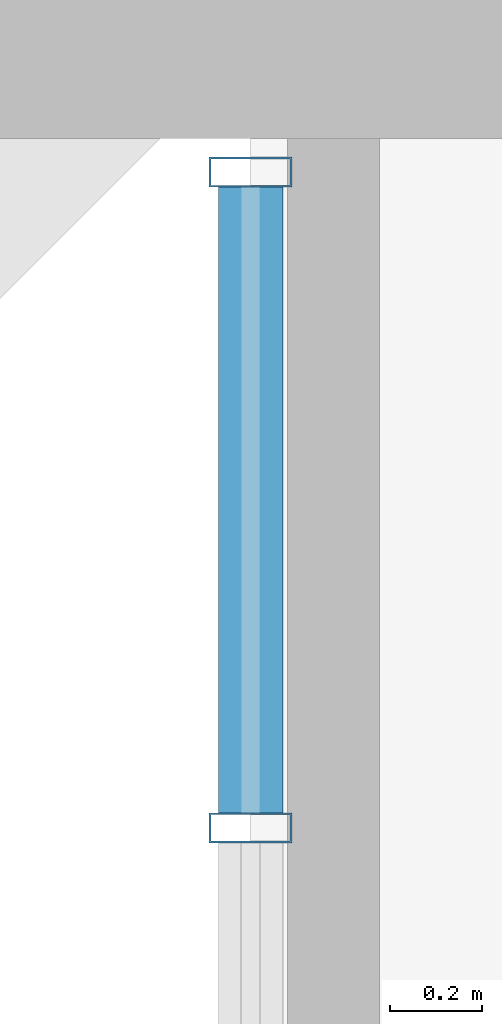
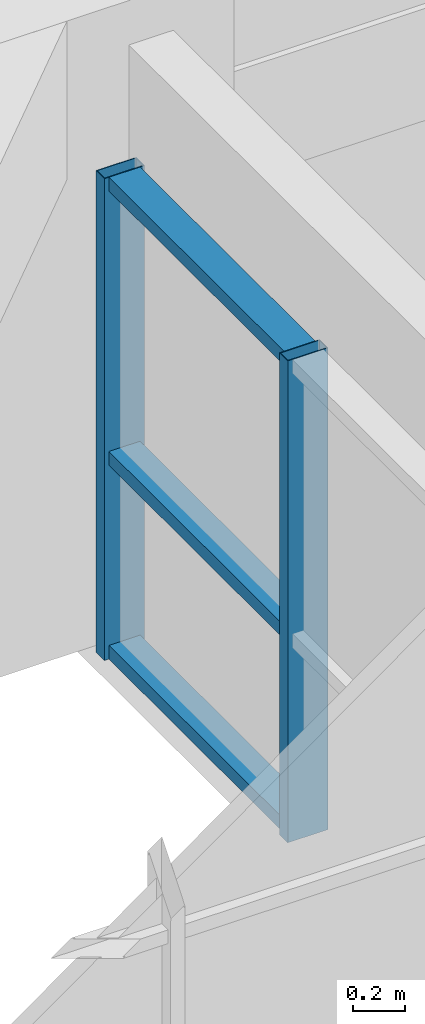
# One storey, part 8 of 28: 5 members, 1 element without a shape of its own.
"""IFC4 building model written with IfcOpenShell, lengths in metres."""

from ifc_helpers import new_model, si_unit, direction, frame, origin, origin_2d, place, context, subcontext, project, spatial, hollow_rectangle, extrude, source, transform, mapped, material, layer, layer_set, material_profile, profile_set, type_object, element, aggregate, save


model = new_model("IFC4")

# Units and contexts
model_context = context("Model", 3, precision=1e-05, world=origin(), true_north=direction((0.0, 1.0)))
body_context = subcontext(model_context, "Body", "Model", "MODEL_VIEW")
ifc_project = project(units=[si_unit("LENGTHUNIT", "METRE"), si_unit("AREAUNIT", "SQUARE_METRE"), si_unit("VOLUMEUNIT", "CUBIC_METRE"), si_unit("PLANEANGLEUNIT", "RADIAN"), si_unit("MASSUNIT", "GRAM", prefix="KILO")], contexts=[model_context])

# Site, building, storey
site_placement = place(None, origin())
site = spatial("IfcSite", under=ifc_project, at=site_placement, CompositionType="ELEMENT")
building_placement = place(site_placement, origin())
building = spatial("IfcBuilding", under=site, at=building_placement, Name="Saelheon Loggia Tower", CompositionType="ELEMENT")
storey_placement = place(building_placement, frame((0.0, 0.0, 61.39990234375)))
storey = spatial("IfcBuildingStorey", under=building, at=storey_placement, Name="L19", CompositionType="ELEMENT", Elevation=61.39990234375)

# Curtain wall, members
ifc_material_1 = material(Name="Thermal-Break Aluminium and Triple Low-E Glass", Category="aluminium")
ifc_layer = layer(ifc_material_1, 0.159912109375)
ifc_layer_set = layer_set([ifc_layer], Name="Thermal-Break Aluminium and Triple Low-E Glass")
curtain_wall_type = type_object("IfcCurtainWallType", Name="CW_TowerLoggiaLow", PredefinedType="NOTDEFINED", material=ifc_layer_set)
curtain_wall_placement = place(storey_placement, origin())
curtain_wall = element("IfcCurtainWall", 1, at=curtain_wall_placement, inside=storey, type_object=curtain_wall_type, Name="L19 Corner Notch Glazing NW1", PredefinedType="NOTDEFINED")
ifc_material_2 = material(Name="Anodised Aluminium 6063-T6", Category="aluminium")
ifc_material_profile_1 = material_profile(ifc_material_2, hollow_rectangle(XDim=0.06494140625, YDim=0.179931640625, WallThickness=0.00390625, at=origin_2d()), Name="RHS-180x65x4")
ifc_profile_set_1 = profile_set([ifc_material_profile_1], Name="Anodised Aluminium 6063-T6")
member_type_1 = type_object("IfcMemberType", Name="CW_TowerLoggiaLow_Mullion", PredefinedType="MULLION", material=ifc_profile_set_1)
shared_shape_1 = source(origin(), body_context, "Body", "SweptSolid", [
    extrude(hollow_rectangle(XDim=0.06494140625, YDim=0.179931640625, WallThickness=0.00390625, at=origin_2d()), origin(), (0.0, 0.0, 1.0), 2.280029296875),
])
member_1_placement = place(storey_placement, frame((15.5, 48.955078125, 0.0), z_axis=(0.0, 0.0, 1.0), x_axis=(0.0, 1.0, 0.0)))
member_1 = element("IfcMember", 2, at=member_1_placement, type_object=member_type_1, Name="CW3 mullion 2", PredefinedType="MULLION", context=body_context, shape_type="MappedRepresentation", body=[
    mapped(shared_shape_1, transform((0.0, 0.0, 0.0), scale=1.0)),
])
member_2_placement = place(storey_placement, frame((15.5, 50.37744140625, 0.0), z_axis=(0.0, 0.0, 1.0), x_axis=(0.0, 1.0, 0.0)))
member_2 = element("IfcMember", 3, at=member_2_placement, type_object=member_type_1, Name="CW3 mullion 3", PredefinedType="MULLION", context=body_context, shape_type="MappedRepresentation", body=[
    mapped(shared_shape_1, transform((0.0, 0.0, 0.0), scale=1.0)),
])
ifc_material_profile_2 = material_profile(ifc_material_2, hollow_rectangle(XDim=0.06494140625, YDim=0.139892578125, WallThickness=0.00390625, at=origin_2d()), Name="RHS-140x65x4")
ifc_profile_set_2 = profile_set([ifc_material_profile_2], Name="Anodised Aluminium 6063-T6")
member_type_2 = type_object("IfcMemberType", Name="CW_TowerLoggiaLow_Transom", PredefinedType="USERDEFINED", material=ifc_profile_set_2)
shared_shape_2 = source(origin(), body_context, "Body", "SweptSolid", [
    extrude(hollow_rectangle(XDim=0.06494140625, YDim=0.139892578125, WallThickness=0.00390625, at=origin_2d()), origin(), (0.0, 0.0, 1.0), 1.357421875),
])
member_3_placement = place(storey_placement, frame((15.5, 48.987548828125, 0.03271484375), z_axis=(0.0, 1.0, 0.0), x_axis=(0.0, 0.0, 1.0)))
member_3 = element("IfcMember", 4, at=member_3_placement, type_object=member_type_2, Name="CW3 transom 2.1", ObjectType="TRANSOM", PredefinedType="USERDEFINED", context=body_context, shape_type="MappedRepresentation", body=[
    mapped(shared_shape_2, transform((0.0, 0.0, 0.0), scale=1.0)),
])
member_4_placement = place(storey_placement, frame((15.5, 48.987548828125, 0.9501953125), z_axis=(0.0, 1.0, 0.0), x_axis=(0.0, 0.0, 1.0)))
member_4 = element("IfcMember", 5, at=member_4_placement, type_object=member_type_2, Name="CW3 transom 2.2", ObjectType="TRANSOM", PredefinedType="USERDEFINED", context=body_context, shape_type="MappedRepresentation", body=[
    mapped(shared_shape_2, transform((0.0, 0.0, 0.0), scale=1.0)),
])
member_5_placement = place(storey_placement, frame((15.5, 48.987548828125, 2.24755859375), z_axis=(0.0, 1.0, 0.0), x_axis=(0.0, 0.0, 1.0)))
member_5 = element("IfcMember", 6, at=member_5_placement, type_object=member_type_2, Name="CW3 transom 2.3", ObjectType="TRANSOM", PredefinedType="USERDEFINED", context=body_context, shape_type="MappedRepresentation", body=[
    mapped(shared_shape_2, transform((0.0, 0.0, 0.0), scale=1.0)),
])
aggregate(curtain_wall, [member_1, member_2, member_3, member_4, member_5])

save(model, "model.ifc")
